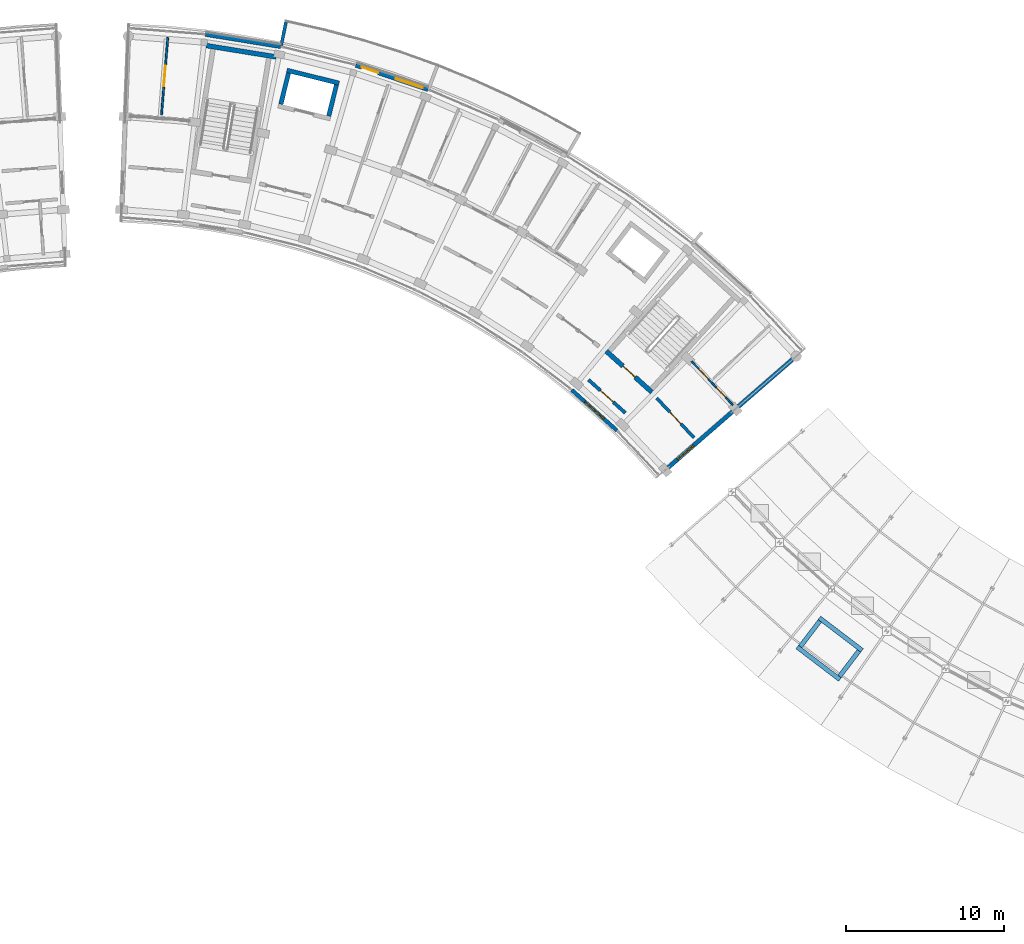
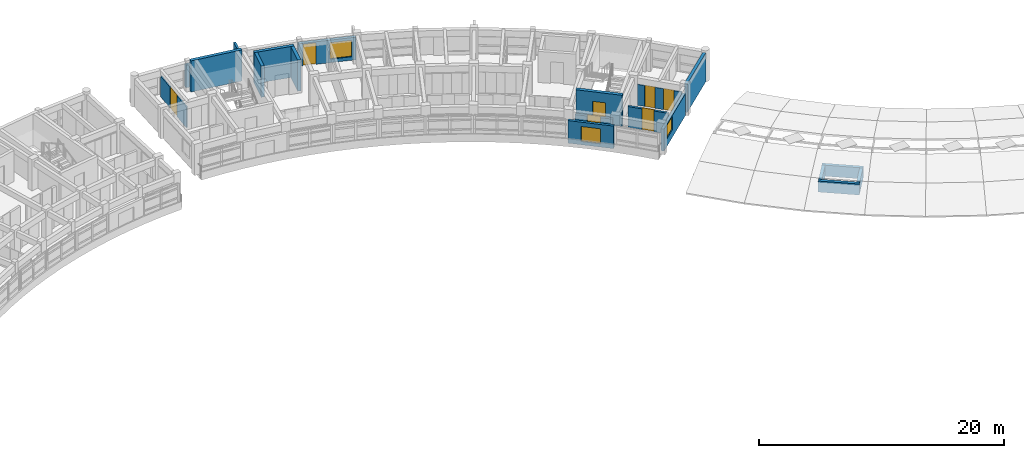
# One storey, part 28 of 40: 19 walls, 7 doors, 3 windows, 10 openings.
"""IFC4 building model written with IfcOpenShell, lengths in metres."""

import ifcopenshell
import ifcopenshell.guid

model = None  # the IFC model being written
_history = None  # IfcOwnerHistory: only IFC2X3 demands one
_inside = {}  # id of a spatial element -> (the spatial element, [elements in it])
_under = {}  # id of a project, library or spatial element -> (it, [spatial elements below it])
_declared = {}  # id of a project -> (the project, [libraries it declares])
_typed = {}  # id of a type object -> (the type object, [elements of that type])
_made_of = {}  # id of a material, layer set ... -> (it, [elements and type objects made of it])


def new_model(schema):
    """Start an empty IFC model of exactly this schema.

    Asked for "IFC4X3", IfcOpenShell would pick the latest addendum, in which some entities
    have other attributes; the version numbers below select the first issue.
    IFC2X3 requires an IfcOwnerHistory on every rooted entity: one is made here for all.
    """
    global model, _history
    if schema == "IFC4X3":
        model = ifcopenshell.file(schema_version=(4, 3, 0, 0))
    else:
        model = ifcopenshell.file(schema=schema)
    _inside.clear()
    _under.clear()
    _declared.clear()
    _typed.clear()
    _made_of.clear()
    _history = None
    if model.schema == "IFC2X3":
        org = make("IfcOrganization", Name="unknown")
        user = make(
            "IfcPersonAndOrganization",
            ThePerson=make("IfcPerson", FamilyName="unknown"),
            TheOrganization=org,
        )
        app = make(
            "IfcApplication",
            ApplicationDeveloper=org,
            Version="unknown",
            ApplicationFullName="unknown",
            ApplicationIdentifier="unknown",
        )
        _history = make(
            "IfcOwnerHistory",
            OwningUser=user,
            OwningApplication=app,
            ChangeAction="ADDED",
            CreationDate=0,
        )
    return model


def make(cls, **values):
    """One entity of the class cls with the attributes given. An attribute that is None is left unset."""
    return model.create_entity(
        cls, **{name: value for name, value in values.items() if value is not None}
    )


def rooted(cls, **values):
    """An entity with a GlobalId (a new one), such as an element, a storey or a relation."""
    return make(cls, GlobalId=ifcopenshell.guid.new(), OwnerHistory=_history, **values)


def si_unit(unit_type, name, prefix=None):
    """IfcSIUnit, for example si_unit("LENGTHUNIT", "METRE", prefix="MILLI")."""
    return make("IfcSIUnit", UnitType=unit_type, Prefix=prefix, Name=name)


def assignment(units):
    """IfcUnitAssignment: the units of a project."""
    return None if units is None else make("IfcUnitAssignment", Units=units)


def point(xyz):
    """IfcCartesianPoint."""
    return None if xyz is None else make("IfcCartesianPoint", Coordinates=xyz)


def direction(xyz):
    """IfcDirection."""
    return None if xyz is None else make("IfcDirection", DirectionRatios=xyz)


def frame(location, z_axis=None, x_axis=None):
    """IfcAxis2Placement3D, a coordinate frame: its origin and axes. An axis left out is left unset."""
    return make(
        "IfcAxis2Placement3D",
        Location=point(location),
        Axis=direction(z_axis),
        RefDirection=direction(x_axis),
    )


def frame_2d(location, x_axis=None):
    """IfcAxis2Placement2D, a coordinate frame in the plane: its origin and x axis."""
    return make(
        "IfcAxis2Placement2D", Location=point(location), RefDirection=direction(x_axis)
    )


def origin():
    """The frame at (0, 0, 0) with its axes left unset."""
    return frame((0.0, 0.0, 0.0))


def place(relative_to, where):
    """IfcLocalPlacement: puts the frame where relative to a parent placement (None: the world)."""
    return make(
        "IfcLocalPlacement", PlacementRelTo=relative_to, RelativePlacement=where
    )


def context(
    kind, dimensions, precision=None, world=None, true_north=None, identifier=None
):
    """IfcGeometricRepresentationContext, for example the 3D "Model" context."""
    return make(
        "IfcGeometricRepresentationContext",
        ContextIdentifier=identifier,
        ContextType=kind,
        CoordinateSpaceDimension=dimensions,
        Precision=precision,
        WorldCoordinateSystem=world,
        TrueNorth=true_north,
    )


def subcontext(parent, identifier, kind, view, scale=None):
    """IfcGeometricRepresentationSubContext, for example "Body" below "Model"."""
    return make(
        "IfcGeometricRepresentationSubContext",
        ContextIdentifier=identifier,
        ContextType=kind,
        ParentContext=parent,
        TargetScale=scale,
        TargetView=view,
    )


def project(units=None, contexts=None):
    """IfcProject with its units and contexts."""
    return rooted(
        "IfcProject",
        Name="project",
        RepresentationContexts=contexts,
        UnitsInContext=assignment(units),
    )


def spatial(cls, under=None, at=None, **own):
    """A site, building, storey or space (cls), placed at a placement, below another one or the project."""
    s = rooted(cls, ObjectPlacement=at, **own)
    if under is not None:
        _under.setdefault(under.id(), (under, []))[1].append(s)
    return s


def profile(cls, at=None, kind="AREA", **sizes):
    """A parametric profile (cls). Its sizes go by their IFC names, for example OverallWidth=200.0."""
    return make(cls, ProfileType=kind, Position=at, **sizes)


def rectangle(**sizes):
    """IfcRectangleProfileDef."""
    return profile("IfcRectangleProfileDef", **sizes)


def extrude(swept, where, along, depth):
    """IfcExtrudedAreaSolid: the profile swept, set in the frame where, extruded along a direction by depth."""
    return make(
        "IfcExtrudedAreaSolid",
        SweptArea=swept,
        Position=where,
        ExtrudedDirection=direction(along),
        Depth=depth,
    )


def shape(context_of_items, identifier, shape_type, items):
    """IfcShapeRepresentation: the items that make up one representation, for example the "Body"."""
    return make(
        "IfcShapeRepresentation",
        ContextOfItems=context_of_items,
        RepresentationIdentifier=identifier,
        RepresentationType=shape_type,
        Items=items,
    )


def material(Name=None, Category=None):
    """IfcMaterial."""
    return make("IfcMaterial", Name=Name, Category=Category)


def layer(
    of_material, thickness, ventilated=None, Name=None, Category=None, Priority=None
):
    """IfcMaterialLayer: one layer of a wall or slab, of a material (None: an air gap)."""
    return make(
        "IfcMaterialLayer",
        Material=of_material,
        LayerThickness=thickness,
        IsVentilated=ventilated,
        Name=Name,
        Category=Category,
        Priority=Priority,
    )


def layer_set(layers, Name=None):
    """IfcMaterialLayerSet."""
    return make("IfcMaterialLayerSet", MaterialLayers=layers, LayerSetName=Name)


def made_of(thing, what):
    """Note that an element or type object is made of a material, layer set ...; save() writes the relation."""
    if what is not None:
        _made_of.setdefault(what.id(), (what, []))[1].append(thing)
    return thing


def type_object(cls, material=None, **own):
    """A type object (cls), such as IfcWallType, which elements share."""
    return made_of(rooted(cls, **own), material)


def element(
    cls,
    number,
    at=None,
    inside=None,
    cuts=None,
    type_object=None,
    material=None,
    context=None,
    identifier="Body",
    shape_type=None,
    held_by="IfcProductDefinitionShape",
    body=None,
    shapes=None,
    **own,
):
    """One element of the class cls, such as IfcWall. Its Tag is "e" and its number.

    at: its placement. inside: the storey or other place that contains it. cuts: it is an
    opening in that element (IfcRelVoidsElement). A single representation is given by context,
    identifier, shape_type and body (its items); several are given by shapes. held_by: the class
    of the entity that holds the representations. save() writes the other relations.
    """
    e = rooted(cls, Tag="e%d" % number, ObjectPlacement=at, **own)
    if body is not None:
        shapes = [shape(context, identifier, shape_type, body)]
    if shapes is not None:
        e.Representation = make(held_by, Representations=shapes)
    if inside is not None:
        _inside.setdefault(inside.id(), (inside, []))[1].append(e)
    if cuts is not None:
        rooted(
            "IfcRelVoidsElement", RelatingBuildingElement=cuts, RelatedOpeningElement=e
        )
    if type_object is not None:
        _typed.setdefault(type_object.id(), (type_object, []))[1].append(e)
    return made_of(e, material)


def fill(opening, filler):
    """IfcRelFillsElement: the door or window that sits in an opening."""
    return rooted(
        "IfcRelFillsElement",
        RelatingOpeningElement=opening,
        RelatedBuildingElement=filler,
    )


def aggregate(whole, parts):
    """IfcRelAggregates: a whole, such as a stair, and the parts it consists of."""
    return rooted("IfcRelAggregates", RelatingObject=whole, RelatedObjects=parts)


def save(model, path):
    """Write the relations noted so far, then the file.

    IfcRelAggregates (storeys below a building ...), IfcRelContainedInSpatialStructure (elements
    in a storey), IfcRelDefinesByType, IfcRelAssociatesMaterial and IfcRelDeclares: one each for
    every whole, place, type object, material and project.
    """
    for whole, parts in _under.values():
        aggregate(whole, parts)
    for where, things in _inside.values():
        rooted(
            "IfcRelContainedInSpatialStructure",
            RelatedElements=things,
            RelatingStructure=where,
        )
    for kind, things in _typed.values():
        rooted("IfcRelDefinesByType", RelatedObjects=things, RelatingType=kind)
    for what, things in _made_of.values():
        rooted("IfcRelAssociatesMaterial", RelatedObjects=things, RelatingMaterial=what)
    for by, libraries in _declared.values():
        rooted("IfcRelDeclares", RelatingContext=by, RelatedDefinitions=libraries)
    model.write(path)


model = new_model("IFC4")

# Units and contexts
model_context = context("Model", 3, precision=1e-05, world=origin(), true_north=direction((0.0, 1.0)))
body_context = subcontext(model_context, "Body", "Model", "MODEL_VIEW")
ifc_project = project(units=[si_unit("LENGTHUNIT", "METRE"), si_unit("AREAUNIT", "SQUARE_METRE"), si_unit("VOLUMEUNIT", "CUBIC_METRE"), si_unit("PLANEANGLEUNIT", "RADIAN"), si_unit("MASSUNIT", "GRAM", prefix="KILO")], contexts=[model_context])

# Site, building, storey
site_placement = place(None, origin())
site = spatial("IfcSite", under=ifc_project, at=site_placement, CompositionType="ELEMENT")
building_placement = place(site_placement, origin())
building = spatial("IfcBuilding", under=site, at=building_placement, Name="Zimvara Arc Housing Community", CompositionType="ELEMENT")
storey_placement = place(building_placement, frame((0.0, 0.0, 32.89990234375)))
storey = spatial("IfcBuildingStorey", under=building, at=storey_placement, Name="L10", CompositionType="ELEMENT", Elevation=32.89990234375)

# Wall, opening, window
ifc_material_1 = material(Name="Board-Marked Fair-Faced Concrete C35/45", Category="concrete")
ifc_layer_1 = layer(ifc_material_1, 0.22998046875)
ifc_layer_set_1 = layer_set([ifc_layer_1], Name="Board-Marked Fair-Faced Concrete C35/45")
wall_type_1 = type_object("IfcWallType", Name="EWL-CONC-230", PredefinedType="SOLIDWALL", material=ifc_layer_set_1)
wall_1_placement = place(storey_placement, frame((75.26708984375, 81.003173828125, 0.0), z_axis=(0.0, 0.0, 1.0), x_axis=(0.743363835609, -0.668887290886, 0.0)))
wall_1 = element("IfcWall", 1, at=wall_1_placement, inside=storey, type_object=wall_type_1, Name="ewall:blkB:L10:in:b8", PredefinedType="SOLIDWALL", context=body_context, shape_type="SweptSolid", body=[
    extrude(rectangle(XDim=3.83203125, YDim=0.22998046875, at=frame_2d((1.916015625, 0.0))), origin(), (0.0, 0.0, 1.0), 2.25),
])
opening_1_placement = place(wall_1_placement, frame((1.1162109375, 0.0, 0.320068359375)))
opening_1 = element("IfcOpeningElement", 2, at=opening_1_placement, cuts=wall_1, Name="Opening W03", PredefinedType="OPENING", context=body_context, shape_type="SweptSolid", body=[
    extrude(rectangle(XDim=1.60009765625, YDim=1.5, at=frame_2d((0.800048828125, 0.75))), frame((0.0, 0.125, 0.0), z_axis=(0.0, -1.0, 0.0), x_axis=(1.0, 0.0, 0.0)), (0.0, 0.0, 1.0), 0.25),
])
ifc_material_2 = material(Name="Solar Control Low-E Double Glazing", Category="glass")
window_type_1 = type_object("IfcWindowType", Name="WIN-RES-1600x1500", PartitioningType="DOUBLE_PANEL_VERTICAL", PredefinedType="WINDOW", material=ifc_material_2)
window_1_placement = place(opening_1_placement, origin())
window_1 = element("IfcWindow", 3, at=window_1_placement, inside=storey, type_object=window_type_1, Name="win:blkB:L10:in:b8", OverallHeight=1.5, OverallWidth=1.60009765625, PartitioningType="DOUBLE_PANEL_VERTICAL", PredefinedType="WINDOW", context=body_context, shape_type="SweptSolid", body=[
    extrude(rectangle(XDim=1.60009765625, YDim=1.5, at=frame_2d((0.800048828125, 0.75))), frame((0.0, 0.030029296875, 0.0), z_axis=(0.0, -1.0, 0.0), x_axis=(1.0, 0.0, 0.0)), (0.0, 0.0, 1.0), 0.06005859375),
])
fill(opening_1, window_1)

ifc_material_3 = material(Name="Board-Marked Fair-Faced Concrete C35/45", Category="concrete")
ifc_layer_2 = layer(ifc_material_3, 0.2548828125)
ifc_layer_set_2 = layer_set([ifc_layer_2], Name="Board-Marked Fair-Faced Concrete C35/45")
wall_type_2 = type_object("IfcWallType", Name="EWL-CONC-255", PredefinedType="SOLIDWALL", material=ifc_layer_set_2)
wall_2_placement = place(storey_placement, frame((81.346923828125, 76.095703125, 0.0), z_axis=(0.0, 0.0, 1.0), x_axis=(0.754709658894, 0.65605893849, 0.0)))
wall_2 = element("IfcWall", 4, at=wall_2_placement, inside=storey, type_object=wall_type_2, Name="ewall:blkB:L10:gN", PredefinedType="SOLIDWALL", context=body_context, shape_type="SweptSolid", body=[
    extrude(rectangle(XDim=5.39990234375, YDim=0.2548828125, at=frame_2d((2.699951171875, 0.0))), origin(), (0.0, 0.0, 1.0), 2.18017578125),
])
opening_2_placement = place(wall_2_placement, frame((0.7900390625, 0.0, 0.75)))
opening_2 = element("IfcOpeningElement", 5, at=opening_2_placement, cuts=wall_2, Name="Opening W12", PredefinedType="OPENING", context=body_context, shape_type="SweptSolid", body=[
    extrude(rectangle(XDim=1.35009765625, YDim=1.35009765625, at=frame_2d((0.675048828125, 0.675048828125))), frame((0.0, 0.137451171875, 0.0), z_axis=(0.0, -1.0, 0.0), x_axis=(1.0, 0.0, 0.0)), (0.0, 0.0, 1.0), 0.27490234375),
])
ifc_material_4 = material(Name="Solar Control Low-E Double Glazing", Category="glass")
window_type_2 = type_object("IfcWindowType", Name="WIN-RES-1350x1350", PartitioningType="DOUBLE_PANEL_VERTICAL", PredefinedType="WINDOW", material=ifc_material_4)
window_2_placement = place(opening_2_placement, origin())
window_2 = element("IfcWindow", 6, at=window_2_placement, inside=storey, type_object=window_type_2, Name="win:blkB:L10:gN:w", OverallHeight=1.35009765625, OverallWidth=1.35009765625, PartitioningType="DOUBLE_PANEL_VERTICAL", PredefinedType="WINDOW", context=body_context, shape_type="SweptSolid", body=[
    extrude(rectangle(XDim=1.35009765625, YDim=1.35009765625, at=frame_2d((0.675048828125, 0.675048828125))), frame((0.0, 0.030029296875, 0.0), z_axis=(0.0, -1.0, 0.0), x_axis=(1.0, 0.0, 0.0)), (0.0, 0.0, 1.0), 0.06005859375),
])
fill(opening_2, window_2)

# Walls
ifc_material_5 = material(Name="Board-Marked Fair-Faced Concrete C35/45", Category="concrete")
ifc_layer_3 = layer(ifc_material_5, 0.195068359375)
ifc_layer_set_3 = layer_set([ifc_layer_3], Name="Board-Marked Fair-Faced Concrete C35/45")
wall_type_3 = type_object("IfcWallType", Name="EWL-PARA-195", PredefinedType="PARAPET", material=ifc_layer_set_3)
wall_3_placement = place(storey_placement, frame((56.907470703125, 102.714599609375, 0.0), z_axis=(0.0, 0.0, 1.0), x_axis=(0.200410159258, 0.979712084271, 0.0)))
element("IfcWall", 7, at=wall_3_placement, inside=storey, type_object=wall_type_3, Name="finwall:blkB:L10:out:b2", PredefinedType="PARAPET", context=body_context, shape_type="SweptSolid", body=[
    extrude(rectangle(XDim=1.530029296875, YDim=0.195068359375, at=frame_2d((0.76513671875, 0.0))), origin(), (0.0, 0.0, 1.0), 2.25),
])
ifc_material_6 = material(Name="Board-Marked Fair-Faced Concrete C35/45", Category="concrete")
ifc_layer_4 = layer(ifc_material_6, 0.258056640625)
ifc_layer_set_4 = layer_set([ifc_layer_4], Name="Board-Marked Fair-Faced Concrete C35/45")
wall_type_4 = type_object("IfcWallType", Name="EWL-VAR-19", PredefinedType="SOLIDWALL", material=ifc_layer_set_4)
wall_4_placement = place(storey_placement, frame((52.1328125, 103.44921875, 0.0), z_axis=(0.0, 0.0, 1.0), x_axis=(0.987080750493, -0.160223568819, 0.0)))
element("IfcWall", 8, at=wall_4_placement, inside=storey, type_object=wall_type_4, Name="ewall:blkB:L10:out:b1", PredefinedType="SOLIDWALL", context=body_context, shape_type="SweptSolid", body=[
    extrude(rectangle(XDim=4.808837890625, YDim=0.258056640625, at=frame_2d((2.404296875, 0.0))), origin(), (0.0, 0.0, 1.0), 2.25),
])

# Wall, openings, door, window
ifc_material_7 = material(Name="Board-Marked Fair-Faced Concrete C35/45", Category="concrete")
ifc_layer_5 = layer(ifc_material_7, 0.26806640625)
ifc_layer_set_5 = layer_set([ifc_layer_5], Name="Board-Marked Fair-Faced Concrete C35/45")
wall_type_5 = type_object("IfcWallType", Name="EWL-VAR-21", PredefinedType="SOLIDWALL", material=ifc_layer_set_5)
wall_5_placement = place(storey_placement, frame((61.625244140625, 101.50439453125, 0.0), z_axis=(0.0, 0.0, 1.0), x_axis=(0.947867898788, -0.318663531717, 0.0)))
wall_5 = element("IfcWall", 9, at=wall_5_placement, inside=storey, type_object=wall_type_5, Name="ewall:blkB:L10:out:b3", PredefinedType="SOLIDWALL", context=body_context, shape_type="SweptSolid", body=[
    extrude(rectangle(XDim=4.80908203125, YDim=0.26806640625, at=frame_2d((2.404541015625, 0.0))), origin(), (0.0, 0.0, 1.0), 2.25),
])
opening_3_placement = place(wall_5_placement, frame((0.39990234375, 0.0, 0.0)))
opening_3 = element("IfcOpeningElement", 10, at=opening_3_placement, cuts=wall_5, Name="Opening ED06", PredefinedType="OPENING", context=body_context, shape_type="SweptSolid", body=[
    extrude(rectangle(XDim=1.10009765625, YDim=2.14990234375, at=frame_2d((0.550048828125, 1.074951171875))), frame((0.0, 0.14404296875, 0.0), z_axis=(0.0, -1.0, 0.0), x_axis=(1.0, 0.0, 0.0)), (0.0, 0.0, 1.0), 0.2880859375),
])
opening_4_placement = place(wall_5_placement, frame((2.658935546875, 0.0, 0.35009765625)))
opening_4 = element("IfcOpeningElement", 11, at=opening_4_placement, cuts=wall_5, Name="Opening W08", PredefinedType="OPENING", context=body_context, shape_type="SweptSolid", body=[
    extrude(rectangle(XDim=1.800048828125, YDim=1.64990234375, at=frame_2d((0.89990234375, 0.824951171875))), frame((0.0, 0.14404296875, 0.0), z_axis=(0.0, -1.0, 0.0), x_axis=(1.0, 0.0, 0.0)), (0.0, 0.0, 1.0), 0.2880859375),
])
ifc_material_8 = material(Name="Anodised Aluminium AW-6063", Category="aluminium")
door_type_1 = type_object("IfcDoorType", Name="EDR-TERR-1100x2150", OperationType="NOTDEFINED", PredefinedType="DOOR", material=ifc_material_8)
door_1_placement = place(opening_3_placement, origin())
door_1 = element("IfcDoor", 12, at=door_1_placement, inside=storey, type_object=door_type_1, Name="edoor:blkB:L10:bal_out:b3", OperationType="SINGLE_SWING_LEFT", OverallHeight=2.14990234375, OverallWidth=1.10009765625, PredefinedType="DOOR", context=body_context, shape_type="SweptSolid", body=[
    extrude(rectangle(XDim=1.10009765625, YDim=2.14990234375, at=frame_2d((0.550048828125, 1.074951171875))), frame((0.0, 0.02490234375, 0.0), z_axis=(0.0, -1.0, 0.0), x_axis=(1.0, 0.0, 0.0)), (0.0, 0.0, 1.0), 0.050048828125),
])
fill(opening_3, door_1)
ifc_material_9 = material(Name="Solar Control Low-E Double Glazing", Category="glass")
window_type_3 = type_object("IfcWindowType", Name="WIN-RES-1800x1650", PartitioningType="TRIPLE_PANEL_VERTICAL", PredefinedType="WINDOW", material=ifc_material_9)
window_3_placement = place(opening_4_placement, origin())
window_3 = element("IfcWindow", 13, at=window_3_placement, inside=storey, type_object=window_type_3, Name="win:blkB:L10:out:b3:balw", OverallHeight=1.64990234375, OverallWidth=1.800048828125, PartitioningType="TRIPLE_PANEL_VERTICAL", PredefinedType="WINDOW", context=body_context, shape_type="SweptSolid", body=[
    extrude(rectangle(XDim=1.800048828125, YDim=1.64990234375, at=frame_2d((0.89990234375, 0.824951171875))), frame((0.0, 0.030029296875, 0.0), z_axis=(0.0, -1.0, 0.0), x_axis=(1.0, 0.0, 0.0)), (0.0, 0.0, 1.0), 0.06005859375),
])
fill(opening_4, window_3)

# Wall, opening, door
ifc_material_10 = material(Name="Concrete C35/45", Category="concrete")
ifc_layer_6 = layer(ifc_material_10, 0.2099609375)
ifc_layer_set_6 = layer_set([ifc_layer_6], Name="Concrete C35/45")
wall_type_6 = type_object("IfcWallType", Name="IWL-CCF-210", PredefinedType="SOLIDWALL", material=ifc_layer_set_6)
wall_6_placement = place(storey_placement, frame((76.317138671875, 81.644287109375, 0.0), z_axis=(0.0, 0.0, 1.0), x_axis=(0.743387266925, -0.668861249718, 0.0)))
wall_6 = element("IfcWall", 14, at=wall_6_placement, inside=storey, type_object=wall_type_6, Name="iwall:blkB:L10:ccf_div:b8", PredefinedType="SOLIDWALL", context=body_context, shape_type="SweptSolid", body=[
    extrude(rectangle(XDim=3.12841796875, YDim=0.2099609375, at=frame_2d((1.564208984375, 0.0))), origin(), (0.0, 0.0, 1.0), 2.080078125),
])
opening_5_placement = place(wall_6_placement, frame((1.014404296875, 0.0, 0.0)))
opening_5 = element("IfcOpeningElement", 15, at=opening_5_placement, cuts=wall_6, Name="Opening FD-CCF1", PredefinedType="OPENING", context=body_context, shape_type="SweptSolid", body=[
    extrude(rectangle(XDim=1.10009765625, YDim=2.14990234375, at=frame_2d((0.550048828125, 1.074951171875))), frame((0.0, 0.114990234375, 0.0), z_axis=(0.0, -1.0, 0.0), x_axis=(1.0, 0.0, 0.0)), (0.0, 0.0, 1.0), 0.22998046875),
])
ifc_material_11 = material(Name="Anodised Aluminium AW-6063", Category="aluminium")
door_type_2 = type_object("IfcDoorType", Name="IDR-CCF-1100x2150", OperationType="NOTDEFINED", PredefinedType="DOOR", material=ifc_material_11)
door_2_placement = place(opening_5_placement, origin())
door_2 = element("IfcDoor", 16, at=door_2_placement, inside=storey, type_object=door_type_2, Name="idoor:blkB:L10:ccf_in:b8", OperationType="SINGLE_SWING_LEFT", OverallHeight=2.14990234375, OverallWidth=1.10009765625, PredefinedType="DOOR", context=body_context, shape_type="SweptSolid", body=[
    extrude(rectangle(XDim=1.10009765625, YDim=2.14990234375, at=frame_2d((0.550048828125, 1.074951171875))), frame((0.0, 0.02490234375, 0.0), z_axis=(0.0, -1.0, 0.0), x_axis=(1.0, 0.0, 0.0)), (0.0, 0.0, 1.0), 0.050048828125),
])
fill(opening_5, door_2)

ifc_material_12 = material(Name="Concrete C35/45", Category="concrete")
ifc_layer_7 = layer(ifc_material_12, 0.199951171875)
ifc_layer_set_7 = layer_set([ifc_layer_7], Name="Concrete C35/45")
wall_type_7 = type_object("IfcWallType", Name="IWL-CORR-200", PredefinedType="SOLIDWALL", material=ifc_layer_set_7)
wall_7_placement = place(storey_placement, frame((80.627685546875, 80.48291015625, 0.0), z_axis=(0.0, 0.0, 1.0), x_axis=(0.686310507227, -0.727308660522, 0.0)))
wall_7 = element("IfcWall", 17, at=wall_7_placement, inside=storey, type_object=wall_type_7, Name="iwall:blkB:L10:corr_out:b9", PredefinedType="SOLIDWALL", context=body_context, shape_type="SweptSolid", body=[
    extrude(rectangle(XDim=3.43603515625, YDim=0.199951171875, at=frame_2d((1.718017578125, 0.0))), origin(), (0.0, 0.0, 1.0), 2.080078125),
])
opening_6_placement = place(wall_7_placement, frame((1.2080078125, 0.0, 0.0)))
opening_6 = element("IfcOpeningElement", 18, at=opening_6_placement, cuts=wall_7, Name="Opening FD-FL2", PredefinedType="OPENING", context=body_context, shape_type="SweptSolid", body=[
    extrude(rectangle(XDim=1.02001953125, YDim=2.14990234375, at=frame_2d((0.510009765625, 1.074951171875))), frame((0.0, 0.10986328125, 0.0), z_axis=(0.0, -1.0, 0.0), x_axis=(1.0, 0.0, 0.0)), (0.0, 0.0, 1.0), 0.219970703125),
])
ifc_material_13 = material(Name="Mozambican Hardwood", Category="wood")
door_type_3 = type_object("IfcDoorType", Name="IDR-FLAT-1020x2150", OperationType="NOTDEFINED", PredefinedType="DOOR", material=ifc_material_13)
door_3_placement = place(opening_6_placement, origin())
door_3 = element("IfcDoor", 19, at=door_3_placement, inside=storey, type_object=door_type_3, Name="idoor:blkB:L10:flat:b9", OperationType="SINGLE_SWING_RIGHT", OverallHeight=2.14990234375, OverallWidth=1.02001953125, PredefinedType="DOOR", context=body_context, shape_type="SweptSolid", body=[
    extrude(rectangle(XDim=1.02001953125, YDim=2.14990234375, at=frame_2d((0.510009765625, 1.074951171875))), frame((0.0, 0.02490234375, 0.0), z_axis=(0.0, -1.0, 0.0), x_axis=(1.0, 0.0, 0.0)), (0.0, 0.0, 1.0), 0.050048828125),
])
fill(opening_6, door_3)

# Wall, openings, doors
ifc_material_14 = material(Name="Painted Acoustic Plasterboard")
ifc_layer_8 = layer(ifc_material_14, 0.10498046875)
ifc_layer_set_8 = layer_set([ifc_layer_8], Name="Painted Acoustic Plasterboard")
wall_type_8 = type_object("IfcWallType", Name="IWL-PART-105", PredefinedType="PARTITIONING", material=ifc_layer_set_8)
wall_8_placement = place(storey_placement, frame((82.8291015625, 82.808837890625, 0.0), z_axis=(0.0, 0.0, 1.0), x_axis=(0.686300649561, -0.727317962388, 0.0)))
wall_8 = element("IfcWall", 20, at=wall_8_placement, inside=storey, type_object=wall_type_8, Name="iwall:blkB:L10:srv:b9", PredefinedType="PARTITIONING", context=body_context, shape_type="SweptSolid", body=[
    extrude(rectangle(XDim=3.79736328125, YDim=0.10498046875, at=frame_2d((1.898681640625, 0.0))), origin(), (0.0, 0.0, 1.0), 2.080078125),
])
opening_7_placement = place(wall_8_placement, frame((0.64990234375, 0.0, 0.0)))
opening_7 = element("IfcOpeningElement", 21, at=opening_7_placement, cuts=wall_8, Name="Opening D01", PredefinedType="OPENING", context=body_context, shape_type="SweptSolid", body=[
    extrude(rectangle(XDim=0.89990234375, YDim=2.10009765625, at=frame_2d((0.449951171875, 1.050048828125))), frame((0.0, 0.0625, 0.0), z_axis=(0.0, -1.0, 0.0), x_axis=(1.0, 0.0, 0.0)), (0.0, 0.0, 1.0), 0.125),
])
opening_8_placement = place(wall_8_placement, frame((2.267333984375, 0.0, 0.0)))
opening_8 = element("IfcOpeningElement", 22, at=opening_8_placement, cuts=wall_8, Name="Opening D05", PredefinedType="OPENING", context=body_context, shape_type="SweptSolid", body=[
    extrude(rectangle(XDim=0.8798828125, YDim=2.10009765625, at=frame_2d((0.43994140625, 1.050048828125))), frame((0.0, 0.0625, 0.0), z_axis=(0.0, -1.0, 0.0), x_axis=(1.0, 0.0, 0.0)), (0.0, 0.0, 1.0), 0.125),
])
ifc_material_15 = material(Name="Mozambican Hardwood", Category="wood")
door_type_4 = type_object("IfcDoorType", Name="IDR-RM-0900x2100", OperationType="NOTDEFINED", PredefinedType="DOOR", material=ifc_material_15)
door_4_placement = place(opening_7_placement, origin())
door_4 = element("IfcDoor", 23, at=door_4_placement, inside=storey, type_object=door_type_4, Name="idoor:blkB:L10:kit_liv:b9", OperationType="SINGLE_SWING_LEFT", OverallHeight=2.10009765625, OverallWidth=0.89990234375, PredefinedType="DOOR", context=body_context, shape_type="SweptSolid", body=[
    extrude(rectangle(XDim=0.89990234375, YDim=2.10009765625, at=frame_2d((0.449951171875, 1.050048828125))), frame((0.0, 0.02490234375, 0.0), z_axis=(0.0, -1.0, 0.0), x_axis=(1.0, 0.0, 0.0)), (0.0, 0.0, 1.0), 0.050048828125),
])
fill(opening_7, door_4)
ifc_material_16 = material(Name="Mozambican Hardwood", Category="wood")
door_type_5 = type_object("IfcDoorType", Name="IDR-WC-0880x2100", OperationType="NOTDEFINED", PredefinedType="DOOR", material=ifc_material_16)
door_5_placement = place(opening_8_placement, origin())
door_5 = element("IfcDoor", 24, at=door_5_placement, inside=storey, type_object=door_type_5, Name="idoor:blkB:L10:bath_d:b9", OperationType="SINGLE_SWING_RIGHT", OverallHeight=2.10009765625, OverallWidth=0.8798828125, PredefinedType="DOOR", context=body_context, shape_type="SweptSolid", body=[
    extrude(rectangle(XDim=0.8798828125, YDim=2.10009765625, at=frame_2d((0.43994140625, 1.050048828125))), frame((0.0, 0.02490234375, 0.0), z_axis=(0.0, -1.0, 0.0), x_axis=(1.0, 0.0, 0.0)), (0.0, 0.0, 1.0), 0.050048828125),
])
fill(opening_8, door_5)

# Wall, opening, door
ifc_material_17 = material(Name="Painted Acoustic Plasterboard")
ifc_layer_9 = layer(ifc_material_17, 0.1201171875)
ifc_layer_set_9 = layer_set([ifc_layer_9], Name="Painted Acoustic Plasterboard")
wall_type_9 = type_object("IfcWallType", Name="IWL-PART-120", PredefinedType="PARTITIONING", material=ifc_layer_set_9)
wall_9_placement = place(storey_placement, frame((49.359619140625, 98.373779296875, 0.0), z_axis=(0.0, 0.0, 1.0), x_axis=(0.080666032472, 0.996741185667, 0.0)))
wall_9 = element("IfcWall", 25, at=wall_9_placement, inside=storey, type_object=wall_type_9, Name="iwall:blkB:L10:bed_div:b0", PredefinedType="PARTITIONING", context=body_context, shape_type="SweptSolid", body=[
    extrude(rectangle(XDim=4.89990234375, YDim=0.1201171875, at=frame_2d((2.449951171875, 0.0))), origin(), (0.0, 0.0, 1.0), 2.080078125),
])
opening_9_placement = place(wall_9_placement, frame((1.800048828125, 0.0, 0.0)))
opening_9 = element("IfcOpeningElement", 26, at=opening_9_placement, cuts=wall_9, Name="Opening D20", PredefinedType="OPENING", context=body_context, shape_type="SweptSolid", body=[
    extrude(rectangle(XDim=1.300048828125, YDim=2.10009765625, at=frame_2d((0.64990234375, 1.050048828125))), frame((0.0, 0.070068359375, 0.0), z_axis=(0.0, -1.0, 0.0), x_axis=(1.0, 0.0, 0.0)), (0.0, 0.0, 1.0), 0.14013671875),
])
ifc_material_18 = material(Name="Mozambican Hardwood", Category="wood")
door_type_6 = type_object("IfcDoorType", Name="IDR-MOD-1300x2240", OperationType="NOTDEFINED", PredefinedType="DOOR", material=ifc_material_18)
door_6_placement = place(opening_9_placement, origin())
door_6 = element("IfcDoor", 27, at=door_6_placement, inside=storey, type_object=door_type_6, Name="idoor:blkB:L10:bed_d:b0", OperationType="SINGLE_SWING_RIGHT", OverallHeight=2.10009765625, OverallWidth=1.300048828125, PredefinedType="DOOR", context=body_context, shape_type="SweptSolid", body=[
    extrude(rectangle(XDim=1.300048828125, YDim=2.10009765625, at=frame_2d((0.64990234375, 1.050048828125))), frame((0.0, 0.02490234375, 0.0), z_axis=(0.0, -1.0, 0.0), x_axis=(1.0, 0.0, 0.0)), (0.0, 0.0, 1.0), 0.050048828125),
])
fill(opening_9, door_6)

# Walls
ifc_material_19 = material(Name="Concrete C40/50", Category="concrete")
ifc_layer_10 = layer(ifc_material_19, 0.280029296875)
ifc_layer_set_10 = layer_set([ifc_layer_10], Name="Concrete C40/50")
wall_type_10 = type_object("IfcWallType", Name="WL-CORE-280", PredefinedType="SHEAR", material=ifc_layer_set_10)
wall_10_placement = place(storey_placement, frame((60.572509765625, 100.3701171875, 0.0), z_axis=(0.0, 0.0, 1.0), x_axis=(-0.970711699588, 0.240247364777, 0.0)))
element("IfcWall", 28, at=wall_10_placement, inside=storey, type_object=wall_type_10, Name="lwall:LF-B1:L10:back", PredefinedType="SHEAR", context=body_context, shape_type="SweptSolid", body=[
    extrude(rectangle(XDim=3.39013671875, YDim=0.280029296875, at=frame_2d((1.695068359375, 0.0))), origin(), (0.0, 0.0, 1.0), 3.10009765625),
])
wall_11_placement = place(storey_placement, frame((59.915283203125, 98.29736328125, 0.0), z_axis=(0.0, 0.0, 1.0), x_axis=(0.2402993748, 0.970698825832, 0.0)))
element("IfcWall", 29, at=wall_11_placement, inside=storey, type_object=wall_type_10, Name="lwall:LF-B1:L10:left", PredefinedType="SHEAR", context=body_context, shape_type="SweptSolid", body=[
    extrude(rectangle(XDim=2.030029296875, YDim=0.280029296875, at=frame_2d((1.01513671875, 0.0))), origin(), (0.0, 0.0, 1.0), 3.10009765625),
])
wall_12_placement = place(storey_placement, frame((56.896484375, 99.04443359375, 0.0), z_axis=(0.0, 0.0, 1.0), x_axis=(0.240186044774, 0.970726873995, 0.0)))
element("IfcWall", 30, at=wall_12_placement, inside=storey, type_object=wall_type_10, Name="lwall:LF-B1:L10:right", PredefinedType="SHEAR", context=body_context, shape_type="SweptSolid", body=[
    extrude(rectangle(XDim=2.02978515625, YDim=0.280029296875, at=frame_2d((1.014892578125, 0.0))), origin(), (0.0, 0.0, 1.0), 3.10009765625),
])
for number, where, z_axis, x_axis, name in (
    (31, (90.8994140625, 66.607177734375, 0.0), (0.0, 0.0, 1.0), (0.795439986025, -0.606032365994, 0.0), "lwall:LF-C1:L10:ov_front"),
    (32, (89.49951171875, 64.76953125, 0.0), (0.0, 0.0, 1.0), (0.795474703455, -0.605986795371, 0.0), "lwall:LF-C1:L10:ov_back"),
):
    element("IfcWall", number, at=place(storey_placement, frame(where, z_axis=z_axis, x_axis=x_axis)), inside=storey, type_object=wall_type_10, Name=name, PredefinedType="SHEAR", context=body_context, shape_type="SweptSolid", body=[
        extrude(rectangle(XDim=3.389892578125, YDim=0.280029296875, at=frame_2d((1.69482421875, 0.0))), origin(), (0.0, 0.0, 1.0), 1.10009765625),
    ])
wall_13_placement = place(storey_placement, frame((90.92578125, 66.410888671875, 0.0), z_axis=(0.0, 0.0, 1.0), x_axis=(-0.605948992168, -0.795503500238, 0.0)))
element("IfcWall", 33, at=wall_13_placement, inside=storey, type_object=wall_type_10, Name="lwall:LF-C1:L10:ov_left", PredefinedType="SHEAR", context=body_context, shape_type="SweptSolid", body=[
    extrude(rectangle(XDim=2.02978515625, YDim=0.280029296875, at=frame_2d((1.014892578125, 0.0))), origin(), (0.0, 0.0, 1.0), 1.10009765625),
])
wall_14_placement = place(storey_placement, frame((93.399658203125, 64.5263671875, 0.0), z_axis=(0.0, 0.0, 1.0), x_axis=(-0.605891019062, -0.795547656033, 0.0)))
element("IfcWall", 34, at=wall_14_placement, inside=storey, type_object=wall_type_10, Name="lwall:LF-C1:L10:ov_right", PredefinedType="SHEAR", context=body_context, shape_type="SweptSolid", body=[
    extrude(rectangle(XDim=2.030029296875, YDim=0.280029296875, at=frame_2d((1.01513671875, 0.0))), origin(), (0.0, 0.0, 1.0), 1.10009765625),
])
ifc_material_20 = material(Name="Concrete C40/50", Category="concrete")
ifc_layer_11 = layer(ifc_material_20, 0.300048828125)
ifc_layer_set_11 = layer_set([ifc_layer_11], Name="Concrete C40/50")
wall_type_11 = type_object("IfcWallType", Name="WL-CORE-300", PredefinedType="SHEAR", material=ifc_layer_set_11)
wall_15_placement = place(storey_placement, frame((56.6025390625, 102.029296875, 0.0), z_axis=(0.0, 0.0, 1.0), x_axis=(-0.987084710126, 0.160199173019, 0.0)))
element("IfcWall", 35, at=wall_15_placement, inside=storey, type_object=wall_type_11, Name="cwall:ST-B1:L10:far", PredefinedType="SHEAR", context=body_context, shape_type="SweptSolid", body=[
    extrude(rectangle(XDim=4.4697265625, YDim=0.300048828125, at=frame_2d((2.23486328125, 0.0))), origin(), (0.0, 0.0, 1.0), 3.10009765625),
])

# Wall, opening, door
wall_16_placement = place(storey_placement, frame((80.320068359375, 80.861572265625, 0.0), z_axis=(0.0, 0.0, 1.0), x_axis=(-0.743375696158, 0.668874109501, 0.0)))
wall_16 = element("IfcWall", 36, at=wall_16_placement, inside=storey, type_object=wall_type_11, Name="cwall:ST-B2:L10:near", PredefinedType="SHEAR", context=body_context, shape_type="SweptSolid", body=[
    extrude(rectangle(XDim=3.8701171875, YDim=0.300048828125, at=frame_2d((1.93505859375, 0.0))), origin(), (0.0, 0.0, 1.0), 3.10009765625),
])
opening_10_placement = place(wall_16_placement, frame((1.409912109375, 0.0, 0.0)))
opening_10 = element("IfcOpeningElement", 37, at=opening_10_placement, cuts=wall_16, Name="Opening FD-ST2", PredefinedType="OPENING", context=body_context, shape_type="SweptSolid", body=[
    extrude(rectangle(XDim=1.050048828125, YDim=2.14990234375, at=frame_2d((0.52490234375, 1.074951171875))), frame((0.0, 0.159912109375, 0.0), z_axis=(0.0, -1.0, 0.0), x_axis=(1.0, 0.0, 0.0)), (0.0, 0.0, 1.0), 0.320068359375),
])
ifc_material_21 = material(Name="Anodised Aluminium AW-6063", Category="aluminium")
door_type_7 = type_object("IfcDoorType", Name="IDR-ST-1050x2150", OperationType="NOTDEFINED", PredefinedType="DOOR", material=ifc_material_21)
door_7_placement = place(opening_10_placement, origin())
door_7 = element("IfcDoor", 38, at=door_7_placement, inside=storey, type_object=door_type_7, Name="idoor:ST-B2:L10:entry", OperationType="SINGLE_SWING_RIGHT", OverallHeight=2.14990234375, OverallWidth=1.050048828125, PredefinedType="DOOR", context=body_context, shape_type="SweptSolid", body=[
    extrude(rectangle(XDim=1.050048828125, YDim=2.14990234375, at=frame_2d((0.52490234375, 1.074951171875))), frame((0.0, 0.02490234375, 0.0), z_axis=(0.0, -1.0, 0.0), x_axis=(1.0, 0.0, 0.0)), (0.0, 0.0, 1.0), 0.050048828125),
])
fill(opening_10, door_7)

# Wall
ifc_material_22 = material(Name="Concrete C40/50", Category="concrete")
ifc_layer_12 = layer(ifc_material_22, 0.27001953125)
ifc_layer_set_12 = layer_set([ifc_layer_12], Name="Concrete C40/50")
wall_type_12 = type_object("IfcWallType", Name="WL-SHEAR-270", PredefinedType="SHEAR", material=ifc_layer_set_12)
wall_17_placement = place(storey_placement, frame((85.7392578125, 79.9140625, 0.0), z_axis=(0.0, 0.0, 1.0), x_axis=(0.754703505217, 0.65606601742, 0.0)))
element("IfcWall", 39, at=wall_17_placement, inside=storey, type_object=wall_type_12, Name="swall:blkB:L10:east", PredefinedType="SHEAR", context=body_context, shape_type="SweptSolid", body=[
    extrude(rectangle(XDim=4.719970703125, YDim=0.27001953125, at=frame_2d((2.35986328125, 0.0))), origin(), (0.0, 0.0, 1.0), 2.860107421875),
])

save(model, "model.ifc")
